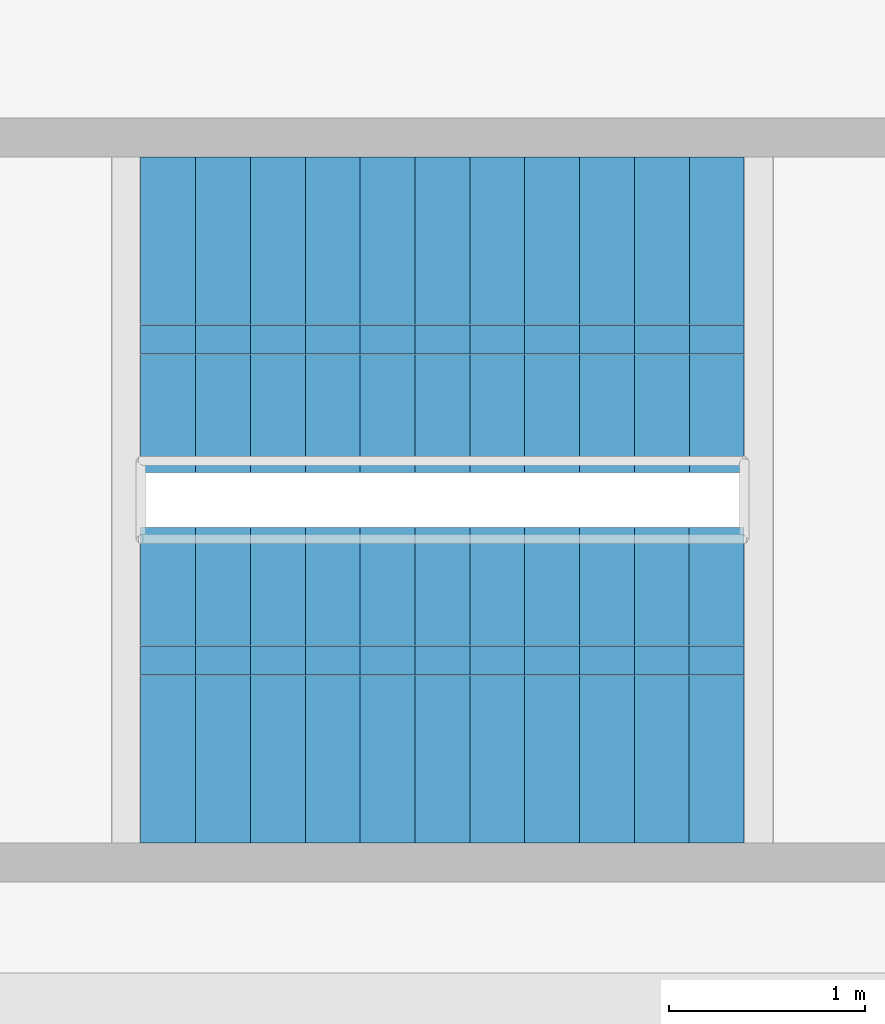
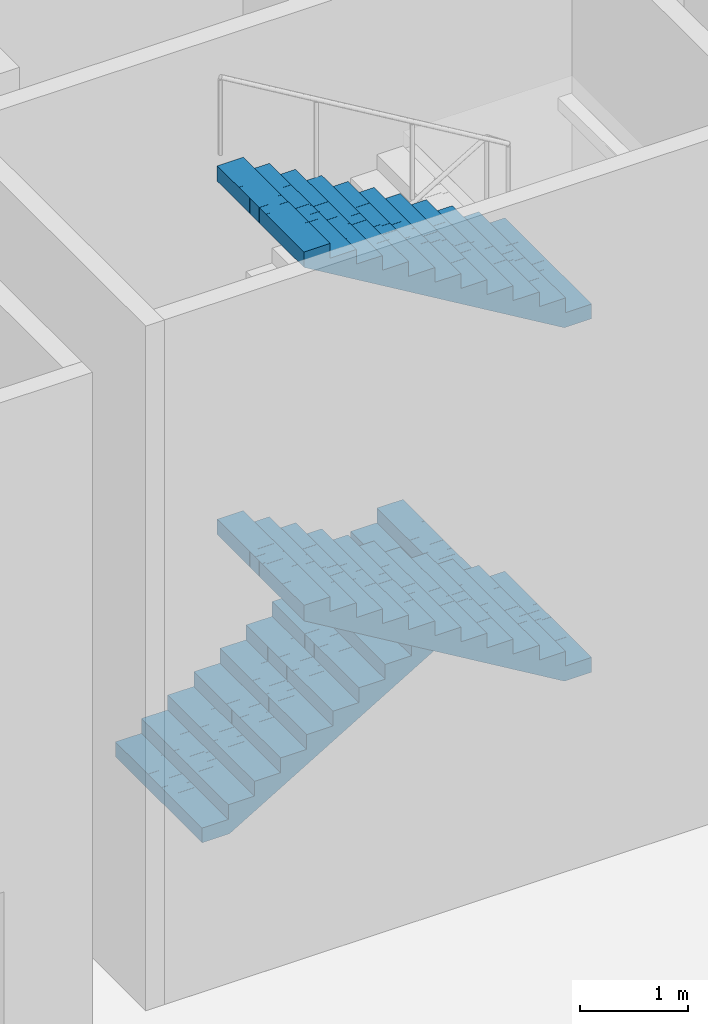
# One storey, part 21 of 25: 3 stair flights, 1 element without a shape of its own.
"""IFC4 building model written with IfcOpenShell, lengths in metres."""

from ifc_helpers import new_model, si_unit, direction, frame, origin, place, context, subcontext, project, spatial, polyline, outline, extrude, material, type_object, element, aggregate, save


model = new_model("IFC4")

# Units and contexts
model_context = context("Model", 3, precision=1e-05, world=origin(), true_north=direction((0.0, 1.0)))
body_context = subcontext(model_context, "Body", "Model", "MODEL_VIEW")
ifc_project = project(units=[si_unit("LENGTHUNIT", "METRE"), si_unit("AREAUNIT", "SQUARE_METRE"), si_unit("VOLUMEUNIT", "CUBIC_METRE"), si_unit("PLANEANGLEUNIT", "RADIAN"), si_unit("MASSUNIT", "GRAM", prefix="KILO")], contexts=[model_context])

# Site, building, storey
site_placement = place(None, origin())
site = spatial("IfcSite", under=ifc_project, at=site_placement, CompositionType="ELEMENT")
building_placement = place(site_placement, origin())
building = spatial("IfcBuilding", under=site, at=building_placement, Name="Mizan Broadcast Tower", CompositionType="ELEMENT")
storey_placement = place(building_placement, frame((0.0, 0.0, 15.0)))
storey = spatial("IfcBuildingStorey", under=building, at=storey_placement, Name="L02", CompositionType="ELEMENT", Elevation=15.0)

# Stair, stair flights
ifc_material_1 = material(Name="Concrete C40/50", Category="concrete")
stair_type = type_object("IfcStairType", Name="EXIT STAIR", PredefinedType="HALF_TURN_STAIR", material=ifc_material_1)
stair_placement = place(storey_placement, origin())
stair = element("IfcStair", 1, at=stair_placement, inside=storey, type_object=stair_type, Name="Stair D L02", PredefinedType="HALF_TURN_STAIR")
ifc_material_2 = material(Name="Concrete C40/50", Category="concrete")
stair_flight_type = type_object("IfcStairFlightType", Name="EXIT STAIR FLIGHT", PredefinedType="STRAIGHT", material=ifc_material_2)
stair_flight_1_placement = place(storey_placement, frame((-24.889892578125, -2.205078125, 0.0), z_axis=(0.0, 0.0, 1.0), x_axis=(1.0, 0.0, 0.0)))
stair_flight_1 = element("IfcStairFlight", 2, at=stair_flight_1_placement, type_object=stair_flight_type, Name="D flight 1", NumberOfRisers=12, NumberOfTreads=11, PredefinedType="STRAIGHT", RiserHeight=0.166666667, TreadLength=0.28, context=body_context, shape_type="SweptSolid", body=[
    extrude(outline(polyline([(0.0, 0.0), (0.0, 0.166748046875), (0.280029296875, 0.166748046875), (0.280029296875, 0.333251953125), (0.56005859375, 0.333251953125), (0.56005859375, 0.5), (0.840087890625, 0.5), (0.840087890625, 0.666748046875), (1.1201171875, 0.666748046875), (1.1201171875, 0.833251953125), (1.39990234375, 0.833251953125), (1.39990234375, 1.0), (1.679931640625, 1.0), (1.679931640625, 1.166748046875), (1.9599609375, 1.166748046875), (1.9599609375, 1.333251953125), (2.239990234375, 1.333251953125), (2.239990234375, 1.5), (2.52001953125, 1.5), (2.52001953125, 1.666748046875), (2.800048828125, 1.666748046875), (2.800048828125, 1.833251953125), (3.080078125, 1.833251953125), (3.080078125, 2.0), (3.080078125, 1.658935546875), (0.29296875, 0.0), (0.0, 0.0)])), frame((0.0, 0.80517578125, 0.0), z_axis=(0.0, -1.0, 0.0), x_axis=(1.0, 0.0, 0.0)), (0.0, 0.0, 1.0), 0.40234375),
    extrude(outline(polyline([(0.0, 0.0), (0.0, 0.166748046875), (0.280029296875, 0.166748046875), (0.280029296875, 0.333251953125), (0.56005859375, 0.333251953125), (0.56005859375, 0.5), (0.840087890625, 0.5), (0.840087890625, 0.666748046875), (1.1201171875, 0.666748046875), (1.1201171875, 0.833251953125), (1.39990234375, 0.833251953125), (1.39990234375, 1.0), (1.679931640625, 1.0), (1.679931640625, 1.166748046875), (1.9599609375, 1.166748046875), (1.9599609375, 1.333251953125), (2.239990234375, 1.333251953125), (2.239990234375, 1.5), (2.52001953125, 1.5), (2.52001953125, 1.666748046875), (2.800048828125, 1.666748046875), (2.800048828125, 1.833251953125), (3.080078125, 1.833251953125), (3.080078125, 2.0), (3.080078125, 1.658935546875), (0.29296875, 0.0), (0.0, 0.0)])), frame((0.0, 0.40234375, 0.0), z_axis=(0.0, -1.0, 0.0), x_axis=(1.0, 0.0, 0.0)), (0.0, 0.0, 1.0), 0.20068359375),
    extrude(outline(polyline([(0.0, 0.0), (0.0, 0.166748046875), (0.280029296875, 0.166748046875), (0.280029296875, 0.333251953125), (0.56005859375, 0.333251953125), (0.56005859375, 0.5), (0.840087890625, 0.5), (0.840087890625, 0.666748046875), (1.1201171875, 0.666748046875), (1.1201171875, 0.833251953125), (1.39990234375, 0.833251953125), (1.39990234375, 1.0), (1.679931640625, 1.0), (1.679931640625, 1.166748046875), (1.9599609375, 1.166748046875), (1.9599609375, 1.333251953125), (2.239990234375, 1.333251953125), (2.239990234375, 1.5), (2.52001953125, 1.5), (2.52001953125, 1.666748046875), (2.800048828125, 1.666748046875), (2.800048828125, 1.833251953125), (3.080078125, 1.833251953125), (3.080078125, 2.0), (3.080078125, 1.658935546875), (0.29296875, 0.0), (0.0, 0.0)])), frame((0.0, 0.201171875, 0.0), z_axis=(0.0, -1.0, 0.0), x_axis=(1.0, 0.0, 0.0)), (0.0, 0.0, 1.0), 0.10009765625),
    extrude(outline(polyline([(0.0, 0.0), (0.0, 0.166748046875), (0.280029296875, 0.166748046875), (0.280029296875, 0.333251953125), (0.56005859375, 0.333251953125), (0.56005859375, 0.5), (0.840087890625, 0.5), (0.840087890625, 0.666748046875), (1.1201171875, 0.666748046875), (1.1201171875, 0.833251953125), (1.39990234375, 0.833251953125), (1.39990234375, 1.0), (1.679931640625, 1.0), (1.679931640625, 1.166748046875), (1.9599609375, 1.166748046875), (1.9599609375, 1.333251953125), (2.239990234375, 1.333251953125), (2.239990234375, 1.5), (2.52001953125, 1.5), (2.52001953125, 1.666748046875), (2.800048828125, 1.666748046875), (2.800048828125, 1.833251953125), (3.080078125, 1.833251953125), (3.080078125, 2.0), (3.080078125, 1.658935546875), (0.29296875, 0.0), (0.0, 0.0)])), frame((0.0, 0.1005859375, 0.0), z_axis=(0.0, -1.0, 0.0), x_axis=(1.0, 0.0, 0.0)), (0.0, 0.0, 1.0), 0.0498046875),
    extrude(outline(polyline([(0.0, 0.0), (0.0, 0.166748046875), (0.280029296875, 0.166748046875), (0.280029296875, 0.333251953125), (0.56005859375, 0.333251953125), (0.56005859375, 0.5), (0.840087890625, 0.5), (0.840087890625, 0.666748046875), (1.1201171875, 0.666748046875), (1.1201171875, 0.833251953125), (1.39990234375, 0.833251953125), (1.39990234375, 1.0), (1.679931640625, 1.0), (1.679931640625, 1.166748046875), (1.9599609375, 1.166748046875), (1.9599609375, 1.333251953125), (2.239990234375, 1.333251953125), (2.239990234375, 1.5), (2.52001953125, 1.5), (2.52001953125, 1.666748046875), (2.800048828125, 1.666748046875), (2.800048828125, 1.833251953125), (3.080078125, 1.833251953125), (3.080078125, 2.0), (3.080078125, 1.658935546875), (0.29296875, 0.0), (0.0, 0.0)])), frame((0.0, 0.05029296875, 0.0), z_axis=(0.0, -1.0, 0.0), x_axis=(1.0, 0.0, 0.0)), (0.0, 0.0, 1.0), 0.024658203125),
    extrude(outline(polyline([(0.0, 0.0), (0.0, 0.166748046875), (0.280029296875, 0.166748046875), (0.280029296875, 0.333251953125), (0.56005859375, 0.333251953125), (0.56005859375, 0.5), (0.840087890625, 0.5), (0.840087890625, 0.666748046875), (1.1201171875, 0.666748046875), (1.1201171875, 0.833251953125), (1.39990234375, 0.833251953125), (1.39990234375, 1.0), (1.679931640625, 1.0), (1.679931640625, 1.166748046875), (1.9599609375, 1.166748046875), (1.9599609375, 1.333251953125), (2.239990234375, 1.333251953125), (2.239990234375, 1.5), (2.52001953125, 1.5), (2.52001953125, 1.666748046875), (2.800048828125, 1.666748046875), (2.800048828125, 1.833251953125), (3.080078125, 1.833251953125), (3.080078125, 2.0), (3.080078125, 1.658935546875), (0.29296875, 0.0), (0.0, 0.0)])), frame((0.0, 0.025146484375, 0.0), z_axis=(0.0, -1.0, 0.0), x_axis=(1.0, 0.0, 0.0)), (0.0, 0.0, 1.0), 0.050048828125),
    extrude(outline(polyline([(0.0, 0.0), (0.0, 0.166748046875), (0.280029296875, 0.166748046875), (0.280029296875, 0.333251953125), (0.56005859375, 0.333251953125), (0.56005859375, 0.5), (0.840087890625, 0.5), (0.840087890625, 0.666748046875), (1.1201171875, 0.666748046875), (1.1201171875, 0.833251953125), (1.39990234375, 0.833251953125), (1.39990234375, 1.0), (1.679931640625, 1.0), (1.679931640625, 1.166748046875), (1.9599609375, 1.166748046875), (1.9599609375, 1.333251953125), (2.239990234375, 1.333251953125), (2.239990234375, 1.5), (2.52001953125, 1.5), (2.52001953125, 1.666748046875), (2.800048828125, 1.666748046875), (2.800048828125, 1.833251953125), (3.080078125, 1.833251953125), (3.080078125, 2.0), (3.080078125, 1.658935546875), (0.29296875, 0.0), (0.0, 0.0)])), frame((0.0, -0.025390625, 0.0), z_axis=(0.0, -1.0, 0.0), x_axis=(1.0, 0.0, 0.0)), (0.0, 0.0, 1.0), 0.024658203125),
    extrude(outline(polyline([(0.0, 0.0), (0.0, 0.166748046875), (0.280029296875, 0.166748046875), (0.280029296875, 0.333251953125), (0.56005859375, 0.333251953125), (0.56005859375, 0.5), (0.840087890625, 0.5), (0.840087890625, 0.666748046875), (1.1201171875, 0.666748046875), (1.1201171875, 0.833251953125), (1.39990234375, 0.833251953125), (1.39990234375, 1.0), (1.679931640625, 1.0), (1.679931640625, 1.166748046875), (1.9599609375, 1.166748046875), (1.9599609375, 1.333251953125), (2.239990234375, 1.333251953125), (2.239990234375, 1.5), (2.52001953125, 1.5), (2.52001953125, 1.666748046875), (2.800048828125, 1.666748046875), (2.800048828125, 1.833251953125), (3.080078125, 1.833251953125), (3.080078125, 2.0), (3.080078125, 1.658935546875), (0.29296875, 0.0), (0.0, 0.0)])), frame((0.0, -0.050537109375, 0.0), z_axis=(0.0, -1.0, 0.0), x_axis=(1.0, 0.0, 0.0)), (0.0, 0.0, 1.0), 0.0498046875),
    extrude(outline(polyline([(0.0, 0.0), (0.0, 0.166748046875), (0.280029296875, 0.166748046875), (0.280029296875, 0.333251953125), (0.56005859375, 0.333251953125), (0.56005859375, 0.5), (0.840087890625, 0.5), (0.840087890625, 0.666748046875), (1.1201171875, 0.666748046875), (1.1201171875, 0.833251953125), (1.39990234375, 0.833251953125), (1.39990234375, 1.0), (1.679931640625, 1.0), (1.679931640625, 1.166748046875), (1.9599609375, 1.166748046875), (1.9599609375, 1.333251953125), (2.239990234375, 1.333251953125), (2.239990234375, 1.5), (2.52001953125, 1.5), (2.52001953125, 1.666748046875), (2.800048828125, 1.666748046875), (2.800048828125, 1.833251953125), (3.080078125, 1.833251953125), (3.080078125, 2.0), (3.080078125, 1.658935546875), (0.29296875, 0.0), (0.0, 0.0)])), frame((0.0, -0.100830078125, 0.0), z_axis=(0.0, -1.0, 0.0), x_axis=(1.0, 0.0, 0.0)), (0.0, 0.0, 1.0), 0.10009765625),
    extrude(outline(polyline([(0.0, 0.0), (0.0, 0.166748046875), (0.280029296875, 0.166748046875), (0.280029296875, 0.333251953125), (0.56005859375, 0.333251953125), (0.56005859375, 0.5), (0.840087890625, 0.5), (0.840087890625, 0.666748046875), (1.1201171875, 0.666748046875), (1.1201171875, 0.833251953125), (1.39990234375, 0.833251953125), (1.39990234375, 1.0), (1.679931640625, 1.0), (1.679931640625, 1.166748046875), (1.9599609375, 1.166748046875), (1.9599609375, 1.333251953125), (2.239990234375, 1.333251953125), (2.239990234375, 1.5), (2.52001953125, 1.5), (2.52001953125, 1.666748046875), (2.800048828125, 1.666748046875), (2.800048828125, 1.833251953125), (3.080078125, 1.833251953125), (3.080078125, 2.0), (3.080078125, 1.658935546875), (0.29296875, 0.0), (0.0, 0.0)])), frame((0.0, -0.201416015625, 0.0), z_axis=(0.0, -1.0, 0.0), x_axis=(1.0, 0.0, 0.0)), (0.0, 0.0, 1.0), 0.20068359375),
    extrude(outline(polyline([(0.0, 0.0), (0.0, 0.166748046875), (0.280029296875, 0.166748046875), (0.280029296875, 0.333251953125), (0.56005859375, 0.333251953125), (0.56005859375, 0.5), (0.840087890625, 0.5), (0.840087890625, 0.666748046875), (1.1201171875, 0.666748046875), (1.1201171875, 0.833251953125), (1.39990234375, 0.833251953125), (1.39990234375, 1.0), (1.679931640625, 1.0), (1.679931640625, 1.166748046875), (1.9599609375, 1.166748046875), (1.9599609375, 1.333251953125), (2.239990234375, 1.333251953125), (2.239990234375, 1.5), (2.52001953125, 1.5), (2.52001953125, 1.666748046875), (2.800048828125, 1.666748046875), (2.800048828125, 1.833251953125), (3.080078125, 1.833251953125), (3.080078125, 2.0), (3.080078125, 1.658935546875), (0.29296875, 0.0), (0.0, 0.0)])), frame((0.0, -0.402587890625, 0.0), z_axis=(0.0, -1.0, 0.0), x_axis=(1.0, 0.0, 0.0)), (0.0, 0.0, 1.0), 0.40234375),
])
stair_flight_2_placement = place(storey_placement, frame((-21.81005859375, -4.094970703125, 2.0), z_axis=(0.0, 0.0, 1.0), x_axis=(-1.0, 0.0, 0.0)))
stair_flight_2 = element("IfcStairFlight", 3, at=stair_flight_2_placement, type_object=stair_flight_type, Name="D flight 2", NumberOfRisers=12, NumberOfTreads=11, PredefinedType="STRAIGHT", RiserHeight=0.166666667, TreadLength=0.28, context=body_context, shape_type="SweptSolid", body=[
    extrude(outline(polyline([(0.0, 0.0), (0.0, 0.166748046875), (0.280029296875, 0.166748046875), (0.280029296875, 0.333251953125), (0.56005859375, 0.333251953125), (0.56005859375, 0.5), (0.840087890625, 0.5), (0.840087890625, 0.666748046875), (1.1201171875, 0.666748046875), (1.1201171875, 0.833251953125), (1.39990234375, 0.833251953125), (1.39990234375, 1.0), (1.679931640625, 1.0), (1.679931640625, 1.166748046875), (1.9599609375, 1.166748046875), (1.9599609375, 1.333251953125), (2.239990234375, 1.333251953125), (2.239990234375, 1.5), (2.52001953125, 1.5), (2.52001953125, 1.666748046875), (2.800048828125, 1.666748046875), (2.800048828125, 1.833251953125), (3.080078125, 1.833251953125), (3.080078125, 2.0), (3.080078125, 1.658935546875), (0.29296875, 0.0), (0.0, 0.0)])), frame((0.0, 0.80517578125, 0.0), z_axis=(0.0, -1.0, 0.0), x_axis=(1.0, 0.0, 0.0)), (0.0, 0.0, 1.0), 0.40234375),
    extrude(outline(polyline([(0.0, 0.0), (0.0, 0.166748046875), (0.280029296875, 0.166748046875), (0.280029296875, 0.333251953125), (0.56005859375, 0.333251953125), (0.56005859375, 0.5), (0.840087890625, 0.5), (0.840087890625, 0.666748046875), (1.1201171875, 0.666748046875), (1.1201171875, 0.833251953125), (1.39990234375, 0.833251953125), (1.39990234375, 1.0), (1.679931640625, 1.0), (1.679931640625, 1.166748046875), (1.9599609375, 1.166748046875), (1.9599609375, 1.333251953125), (2.239990234375, 1.333251953125), (2.239990234375, 1.5), (2.52001953125, 1.5), (2.52001953125, 1.666748046875), (2.800048828125, 1.666748046875), (2.800048828125, 1.833251953125), (3.080078125, 1.833251953125), (3.080078125, 2.0), (3.080078125, 1.658935546875), (0.29296875, 0.0), (0.0, 0.0)])), frame((0.0, 0.40234375, 0.0), z_axis=(0.0, -1.0, 0.0), x_axis=(1.0, 0.0, 0.0)), (0.0, 0.0, 1.0), 0.20068359375),
    extrude(outline(polyline([(0.0, 0.0), (0.0, 0.166748046875), (0.280029296875, 0.166748046875), (0.280029296875, 0.333251953125), (0.56005859375, 0.333251953125), (0.56005859375, 0.5), (0.840087890625, 0.5), (0.840087890625, 0.666748046875), (1.1201171875, 0.666748046875), (1.1201171875, 0.833251953125), (1.39990234375, 0.833251953125), (1.39990234375, 1.0), (1.679931640625, 1.0), (1.679931640625, 1.166748046875), (1.9599609375, 1.166748046875), (1.9599609375, 1.333251953125), (2.239990234375, 1.333251953125), (2.239990234375, 1.5), (2.52001953125, 1.5), (2.52001953125, 1.666748046875), (2.800048828125, 1.666748046875), (2.800048828125, 1.833251953125), (3.080078125, 1.833251953125), (3.080078125, 2.0), (3.080078125, 1.658935546875), (0.29296875, 0.0), (0.0, 0.0)])), frame((0.0, 0.201171875, 0.0), z_axis=(0.0, -1.0, 0.0), x_axis=(1.0, 0.0, 0.0)), (0.0, 0.0, 1.0), 0.10009765625),
    extrude(outline(polyline([(0.0, 0.0), (0.0, 0.166748046875), (0.280029296875, 0.166748046875), (0.280029296875, 0.333251953125), (0.56005859375, 0.333251953125), (0.56005859375, 0.5), (0.840087890625, 0.5), (0.840087890625, 0.666748046875), (1.1201171875, 0.666748046875), (1.1201171875, 0.833251953125), (1.39990234375, 0.833251953125), (1.39990234375, 1.0), (1.679931640625, 1.0), (1.679931640625, 1.166748046875), (1.9599609375, 1.166748046875), (1.9599609375, 1.333251953125), (2.239990234375, 1.333251953125), (2.239990234375, 1.5), (2.52001953125, 1.5), (2.52001953125, 1.666748046875), (2.800048828125, 1.666748046875), (2.800048828125, 1.833251953125), (3.080078125, 1.833251953125), (3.080078125, 2.0), (3.080078125, 1.658935546875), (0.29296875, 0.0), (0.0, 0.0)])), frame((0.0, 0.1005859375, 0.0), z_axis=(0.0, -1.0, 0.0), x_axis=(1.0, 0.0, 0.0)), (0.0, 0.0, 1.0), 0.0498046875),
    extrude(outline(polyline([(0.0, 0.0), (0.0, 0.166748046875), (0.280029296875, 0.166748046875), (0.280029296875, 0.333251953125), (0.56005859375, 0.333251953125), (0.56005859375, 0.5), (0.840087890625, 0.5), (0.840087890625, 0.666748046875), (1.1201171875, 0.666748046875), (1.1201171875, 0.833251953125), (1.39990234375, 0.833251953125), (1.39990234375, 1.0), (1.679931640625, 1.0), (1.679931640625, 1.166748046875), (1.9599609375, 1.166748046875), (1.9599609375, 1.333251953125), (2.239990234375, 1.333251953125), (2.239990234375, 1.5), (2.52001953125, 1.5), (2.52001953125, 1.666748046875), (2.800048828125, 1.666748046875), (2.800048828125, 1.833251953125), (3.080078125, 1.833251953125), (3.080078125, 2.0), (3.080078125, 1.658935546875), (0.29296875, 0.0), (0.0, 0.0)])), frame((0.0, 0.05029296875, 0.0), z_axis=(0.0, -1.0, 0.0), x_axis=(1.0, 0.0, 0.0)), (0.0, 0.0, 1.0), 0.024658203125),
    extrude(outline(polyline([(0.0, 0.0), (0.0, 0.166748046875), (0.280029296875, 0.166748046875), (0.280029296875, 0.333251953125), (0.56005859375, 0.333251953125), (0.56005859375, 0.5), (0.840087890625, 0.5), (0.840087890625, 0.666748046875), (1.1201171875, 0.666748046875), (1.1201171875, 0.833251953125), (1.39990234375, 0.833251953125), (1.39990234375, 1.0), (1.679931640625, 1.0), (1.679931640625, 1.166748046875), (1.9599609375, 1.166748046875), (1.9599609375, 1.333251953125), (2.239990234375, 1.333251953125), (2.239990234375, 1.5), (2.52001953125, 1.5), (2.52001953125, 1.666748046875), (2.800048828125, 1.666748046875), (2.800048828125, 1.833251953125), (3.080078125, 1.833251953125), (3.080078125, 2.0), (3.080078125, 1.658935546875), (0.29296875, 0.0), (0.0, 0.0)])), frame((0.0, 0.025146484375, 0.0), z_axis=(0.0, -1.0, 0.0), x_axis=(1.0, 0.0, 0.0)), (0.0, 0.0, 1.0), 0.050048828125),
    extrude(outline(polyline([(0.0, 0.0), (0.0, 0.166748046875), (0.280029296875, 0.166748046875), (0.280029296875, 0.333251953125), (0.56005859375, 0.333251953125), (0.56005859375, 0.5), (0.840087890625, 0.5), (0.840087890625, 0.666748046875), (1.1201171875, 0.666748046875), (1.1201171875, 0.833251953125), (1.39990234375, 0.833251953125), (1.39990234375, 1.0), (1.679931640625, 1.0), (1.679931640625, 1.166748046875), (1.9599609375, 1.166748046875), (1.9599609375, 1.333251953125), (2.239990234375, 1.333251953125), (2.239990234375, 1.5), (2.52001953125, 1.5), (2.52001953125, 1.666748046875), (2.800048828125, 1.666748046875), (2.800048828125, 1.833251953125), (3.080078125, 1.833251953125), (3.080078125, 2.0), (3.080078125, 1.658935546875), (0.29296875, 0.0), (0.0, 0.0)])), frame((0.0, -0.025390625, 0.0), z_axis=(0.0, -1.0, 0.0), x_axis=(1.0, 0.0, 0.0)), (0.0, 0.0, 1.0), 0.024658203125),
    extrude(outline(polyline([(0.0, 0.0), (0.0, 0.166748046875), (0.280029296875, 0.166748046875), (0.280029296875, 0.333251953125), (0.56005859375, 0.333251953125), (0.56005859375, 0.5), (0.840087890625, 0.5), (0.840087890625, 0.666748046875), (1.1201171875, 0.666748046875), (1.1201171875, 0.833251953125), (1.39990234375, 0.833251953125), (1.39990234375, 1.0), (1.679931640625, 1.0), (1.679931640625, 1.166748046875), (1.9599609375, 1.166748046875), (1.9599609375, 1.333251953125), (2.239990234375, 1.333251953125), (2.239990234375, 1.5), (2.52001953125, 1.5), (2.52001953125, 1.666748046875), (2.800048828125, 1.666748046875), (2.800048828125, 1.833251953125), (3.080078125, 1.833251953125), (3.080078125, 2.0), (3.080078125, 1.658935546875), (0.29296875, 0.0), (0.0, 0.0)])), frame((0.0, -0.050537109375, 0.0), z_axis=(0.0, -1.0, 0.0), x_axis=(1.0, 0.0, 0.0)), (0.0, 0.0, 1.0), 0.0498046875),
    extrude(outline(polyline([(0.0, 0.0), (0.0, 0.166748046875), (0.280029296875, 0.166748046875), (0.280029296875, 0.333251953125), (0.56005859375, 0.333251953125), (0.56005859375, 0.5), (0.840087890625, 0.5), (0.840087890625, 0.666748046875), (1.1201171875, 0.666748046875), (1.1201171875, 0.833251953125), (1.39990234375, 0.833251953125), (1.39990234375, 1.0), (1.679931640625, 1.0), (1.679931640625, 1.166748046875), (1.9599609375, 1.166748046875), (1.9599609375, 1.333251953125), (2.239990234375, 1.333251953125), (2.239990234375, 1.5), (2.52001953125, 1.5), (2.52001953125, 1.666748046875), (2.800048828125, 1.666748046875), (2.800048828125, 1.833251953125), (3.080078125, 1.833251953125), (3.080078125, 2.0), (3.080078125, 1.658935546875), (0.29296875, 0.0), (0.0, 0.0)])), frame((0.0, -0.100830078125, 0.0), z_axis=(0.0, -1.0, 0.0), x_axis=(1.0, 0.0, 0.0)), (0.0, 0.0, 1.0), 0.10009765625),
    extrude(outline(polyline([(0.0, 0.0), (0.0, 0.166748046875), (0.280029296875, 0.166748046875), (0.280029296875, 0.333251953125), (0.56005859375, 0.333251953125), (0.56005859375, 0.5), (0.840087890625, 0.5), (0.840087890625, 0.666748046875), (1.1201171875, 0.666748046875), (1.1201171875, 0.833251953125), (1.39990234375, 0.833251953125), (1.39990234375, 1.0), (1.679931640625, 1.0), (1.679931640625, 1.166748046875), (1.9599609375, 1.166748046875), (1.9599609375, 1.333251953125), (2.239990234375, 1.333251953125), (2.239990234375, 1.5), (2.52001953125, 1.5), (2.52001953125, 1.666748046875), (2.800048828125, 1.666748046875), (2.800048828125, 1.833251953125), (3.080078125, 1.833251953125), (3.080078125, 2.0), (3.080078125, 1.658935546875), (0.29296875, 0.0), (0.0, 0.0)])), frame((0.0, -0.201416015625, 0.0), z_axis=(0.0, -1.0, 0.0), x_axis=(1.0, 0.0, 0.0)), (0.0, 0.0, 1.0), 0.20068359375),
    extrude(outline(polyline([(0.0, 0.0), (0.0, 0.166748046875), (0.280029296875, 0.166748046875), (0.280029296875, 0.333251953125), (0.56005859375, 0.333251953125), (0.56005859375, 0.5), (0.840087890625, 0.5), (0.840087890625, 0.666748046875), (1.1201171875, 0.666748046875), (1.1201171875, 0.833251953125), (1.39990234375, 0.833251953125), (1.39990234375, 1.0), (1.679931640625, 1.0), (1.679931640625, 1.166748046875), (1.9599609375, 1.166748046875), (1.9599609375, 1.333251953125), (2.239990234375, 1.333251953125), (2.239990234375, 1.5), (2.52001953125, 1.5), (2.52001953125, 1.666748046875), (2.800048828125, 1.666748046875), (2.800048828125, 1.833251953125), (3.080078125, 1.833251953125), (3.080078125, 2.0), (3.080078125, 1.658935546875), (0.29296875, 0.0), (0.0, 0.0)])), frame((0.0, -0.402587890625, 0.0), z_axis=(0.0, -1.0, 0.0), x_axis=(1.0, 0.0, 0.0)), (0.0, 0.0, 1.0), 0.40234375),
])
stair_flight_3_placement = place(storey_placement, frame((-21.81005859375, -4.094970703125, 6.0), z_axis=(0.0, 0.0, 1.0), x_axis=(-1.0, 0.0, 0.0)))
stair_flight_3 = element("IfcStairFlight", 4, at=stair_flight_3_placement, type_object=stair_flight_type, Name="D flight 4", NumberOfRisers=12, NumberOfTreads=11, PredefinedType="STRAIGHT", RiserHeight=0.166666667, TreadLength=0.28, context=body_context, shape_type="SweptSolid", body=[
    extrude(outline(polyline([(0.0, 0.0), (0.0, 0.166748046875), (0.280029296875, 0.166748046875), (0.280029296875, 0.333251953125), (0.56005859375, 0.333251953125), (0.56005859375, 0.5), (0.840087890625, 0.5), (0.840087890625, 0.666748046875), (1.1201171875, 0.666748046875), (1.1201171875, 0.833251953125), (1.39990234375, 0.833251953125), (1.39990234375, 1.0), (1.679931640625, 1.0), (1.679931640625, 1.166748046875), (1.9599609375, 1.166748046875), (1.9599609375, 1.333251953125), (2.239990234375, 1.333251953125), (2.239990234375, 1.5), (2.52001953125, 1.5), (2.52001953125, 1.666748046875), (2.800048828125, 1.666748046875), (2.800048828125, 1.833251953125), (3.080078125, 1.833251953125), (3.080078125, 2.0), (3.080078125, 1.658935546875), (0.29296875, 0.0), (0.0, 0.0)])), frame((0.0, 0.80517578125, 0.0), z_axis=(0.0, -1.0, 0.0), x_axis=(1.0, 0.0, 0.0)), (0.0, 0.0, 1.0), 0.40234375),
    extrude(outline(polyline([(0.0, 0.0), (0.0, 0.166748046875), (0.280029296875, 0.166748046875), (0.280029296875, 0.333251953125), (0.56005859375, 0.333251953125), (0.56005859375, 0.5), (0.840087890625, 0.5), (0.840087890625, 0.666748046875), (1.1201171875, 0.666748046875), (1.1201171875, 0.833251953125), (1.39990234375, 0.833251953125), (1.39990234375, 1.0), (1.679931640625, 1.0), (1.679931640625, 1.166748046875), (1.9599609375, 1.166748046875), (1.9599609375, 1.333251953125), (2.239990234375, 1.333251953125), (2.239990234375, 1.5), (2.52001953125, 1.5), (2.52001953125, 1.666748046875), (2.800048828125, 1.666748046875), (2.800048828125, 1.833251953125), (3.080078125, 1.833251953125), (3.080078125, 2.0), (3.080078125, 1.658935546875), (0.29296875, 0.0), (0.0, 0.0)])), frame((0.0, 0.40234375, 0.0), z_axis=(0.0, -1.0, 0.0), x_axis=(1.0, 0.0, 0.0)), (0.0, 0.0, 1.0), 0.20068359375),
    extrude(outline(polyline([(0.0, 0.0), (0.0, 0.166748046875), (0.280029296875, 0.166748046875), (0.280029296875, 0.333251953125), (0.56005859375, 0.333251953125), (0.56005859375, 0.5), (0.840087890625, 0.5), (0.840087890625, 0.666748046875), (1.1201171875, 0.666748046875), (1.1201171875, 0.833251953125), (1.39990234375, 0.833251953125), (1.39990234375, 1.0), (1.679931640625, 1.0), (1.679931640625, 1.166748046875), (1.9599609375, 1.166748046875), (1.9599609375, 1.333251953125), (2.239990234375, 1.333251953125), (2.239990234375, 1.5), (2.52001953125, 1.5), (2.52001953125, 1.666748046875), (2.800048828125, 1.666748046875), (2.800048828125, 1.833251953125), (3.080078125, 1.833251953125), (3.080078125, 2.0), (3.080078125, 1.658935546875), (0.29296875, 0.0), (0.0, 0.0)])), frame((0.0, 0.201171875, 0.0), z_axis=(0.0, -1.0, 0.0), x_axis=(1.0, 0.0, 0.0)), (0.0, 0.0, 1.0), 0.10009765625),
    extrude(outline(polyline([(0.0, 0.0), (0.0, 0.166748046875), (0.280029296875, 0.166748046875), (0.280029296875, 0.333251953125), (0.56005859375, 0.333251953125), (0.56005859375, 0.5), (0.840087890625, 0.5), (0.840087890625, 0.666748046875), (1.1201171875, 0.666748046875), (1.1201171875, 0.833251953125), (1.39990234375, 0.833251953125), (1.39990234375, 1.0), (1.679931640625, 1.0), (1.679931640625, 1.166748046875), (1.9599609375, 1.166748046875), (1.9599609375, 1.333251953125), (2.239990234375, 1.333251953125), (2.239990234375, 1.5), (2.52001953125, 1.5), (2.52001953125, 1.666748046875), (2.800048828125, 1.666748046875), (2.800048828125, 1.833251953125), (3.080078125, 1.833251953125), (3.080078125, 2.0), (3.080078125, 1.658935546875), (0.29296875, 0.0), (0.0, 0.0)])), frame((0.0, 0.1005859375, 0.0), z_axis=(0.0, -1.0, 0.0), x_axis=(1.0, 0.0, 0.0)), (0.0, 0.0, 1.0), 0.0498046875),
    extrude(outline(polyline([(0.0, 0.0), (0.0, 0.166748046875), (0.280029296875, 0.166748046875), (0.280029296875, 0.333251953125), (0.56005859375, 0.333251953125), (0.56005859375, 0.5), (0.840087890625, 0.5), (0.840087890625, 0.666748046875), (1.1201171875, 0.666748046875), (1.1201171875, 0.833251953125), (1.39990234375, 0.833251953125), (1.39990234375, 1.0), (1.679931640625, 1.0), (1.679931640625, 1.166748046875), (1.9599609375, 1.166748046875), (1.9599609375, 1.333251953125), (2.239990234375, 1.333251953125), (2.239990234375, 1.5), (2.52001953125, 1.5), (2.52001953125, 1.666748046875), (2.800048828125, 1.666748046875), (2.800048828125, 1.833251953125), (3.080078125, 1.833251953125), (3.080078125, 2.0), (3.080078125, 1.658935546875), (0.29296875, 0.0), (0.0, 0.0)])), frame((0.0, 0.05029296875, 0.0), z_axis=(0.0, -1.0, 0.0), x_axis=(1.0, 0.0, 0.0)), (0.0, 0.0, 1.0), 0.024658203125),
    extrude(outline(polyline([(0.0, 0.0), (0.0, 0.166748046875), (0.280029296875, 0.166748046875), (0.280029296875, 0.333251953125), (0.56005859375, 0.333251953125), (0.56005859375, 0.5), (0.840087890625, 0.5), (0.840087890625, 0.666748046875), (1.1201171875, 0.666748046875), (1.1201171875, 0.833251953125), (1.39990234375, 0.833251953125), (1.39990234375, 1.0), (1.679931640625, 1.0), (1.679931640625, 1.166748046875), (1.9599609375, 1.166748046875), (1.9599609375, 1.333251953125), (2.239990234375, 1.333251953125), (2.239990234375, 1.5), (2.52001953125, 1.5), (2.52001953125, 1.666748046875), (2.800048828125, 1.666748046875), (2.800048828125, 1.833251953125), (3.080078125, 1.833251953125), (3.080078125, 2.0), (3.080078125, 1.658935546875), (0.29296875, 0.0), (0.0, 0.0)])), frame((0.0, 0.025146484375, 0.0), z_axis=(0.0, -1.0, 0.0), x_axis=(1.0, 0.0, 0.0)), (0.0, 0.0, 1.0), 0.050048828125),
    extrude(outline(polyline([(0.0, 0.0), (0.0, 0.166748046875), (0.280029296875, 0.166748046875), (0.280029296875, 0.333251953125), (0.56005859375, 0.333251953125), (0.56005859375, 0.5), (0.840087890625, 0.5), (0.840087890625, 0.666748046875), (1.1201171875, 0.666748046875), (1.1201171875, 0.833251953125), (1.39990234375, 0.833251953125), (1.39990234375, 1.0), (1.679931640625, 1.0), (1.679931640625, 1.166748046875), (1.9599609375, 1.166748046875), (1.9599609375, 1.333251953125), (2.239990234375, 1.333251953125), (2.239990234375, 1.5), (2.52001953125, 1.5), (2.52001953125, 1.666748046875), (2.800048828125, 1.666748046875), (2.800048828125, 1.833251953125), (3.080078125, 1.833251953125), (3.080078125, 2.0), (3.080078125, 1.658935546875), (0.29296875, 0.0), (0.0, 0.0)])), frame((0.0, -0.025390625, 0.0), z_axis=(0.0, -1.0, 0.0), x_axis=(1.0, 0.0, 0.0)), (0.0, 0.0, 1.0), 0.024658203125),
    extrude(outline(polyline([(0.0, 0.0), (0.0, 0.166748046875), (0.280029296875, 0.166748046875), (0.280029296875, 0.333251953125), (0.56005859375, 0.333251953125), (0.56005859375, 0.5), (0.840087890625, 0.5), (0.840087890625, 0.666748046875), (1.1201171875, 0.666748046875), (1.1201171875, 0.833251953125), (1.39990234375, 0.833251953125), (1.39990234375, 1.0), (1.679931640625, 1.0), (1.679931640625, 1.166748046875), (1.9599609375, 1.166748046875), (1.9599609375, 1.333251953125), (2.239990234375, 1.333251953125), (2.239990234375, 1.5), (2.52001953125, 1.5), (2.52001953125, 1.666748046875), (2.800048828125, 1.666748046875), (2.800048828125, 1.833251953125), (3.080078125, 1.833251953125), (3.080078125, 2.0), (3.080078125, 1.658935546875), (0.29296875, 0.0), (0.0, 0.0)])), frame((0.0, -0.050537109375, 0.0), z_axis=(0.0, -1.0, 0.0), x_axis=(1.0, 0.0, 0.0)), (0.0, 0.0, 1.0), 0.0498046875),
    extrude(outline(polyline([(0.0, 0.0), (0.0, 0.166748046875), (0.280029296875, 0.166748046875), (0.280029296875, 0.333251953125), (0.56005859375, 0.333251953125), (0.56005859375, 0.5), (0.840087890625, 0.5), (0.840087890625, 0.666748046875), (1.1201171875, 0.666748046875), (1.1201171875, 0.833251953125), (1.39990234375, 0.833251953125), (1.39990234375, 1.0), (1.679931640625, 1.0), (1.679931640625, 1.166748046875), (1.9599609375, 1.166748046875), (1.9599609375, 1.333251953125), (2.239990234375, 1.333251953125), (2.239990234375, 1.5), (2.52001953125, 1.5), (2.52001953125, 1.666748046875), (2.800048828125, 1.666748046875), (2.800048828125, 1.833251953125), (3.080078125, 1.833251953125), (3.080078125, 2.0), (3.080078125, 1.658935546875), (0.29296875, 0.0), (0.0, 0.0)])), frame((0.0, -0.100830078125, 0.0), z_axis=(0.0, -1.0, 0.0), x_axis=(1.0, 0.0, 0.0)), (0.0, 0.0, 1.0), 0.10009765625),
    extrude(outline(polyline([(0.0, 0.0), (0.0, 0.166748046875), (0.280029296875, 0.166748046875), (0.280029296875, 0.333251953125), (0.56005859375, 0.333251953125), (0.56005859375, 0.5), (0.840087890625, 0.5), (0.840087890625, 0.666748046875), (1.1201171875, 0.666748046875), (1.1201171875, 0.833251953125), (1.39990234375, 0.833251953125), (1.39990234375, 1.0), (1.679931640625, 1.0), (1.679931640625, 1.166748046875), (1.9599609375, 1.166748046875), (1.9599609375, 1.333251953125), (2.239990234375, 1.333251953125), (2.239990234375, 1.5), (2.52001953125, 1.5), (2.52001953125, 1.666748046875), (2.800048828125, 1.666748046875), (2.800048828125, 1.833251953125), (3.080078125, 1.833251953125), (3.080078125, 2.0), (3.080078125, 1.658935546875), (0.29296875, 0.0), (0.0, 0.0)])), frame((0.0, -0.201416015625, 0.0), z_axis=(0.0, -1.0, 0.0), x_axis=(1.0, 0.0, 0.0)), (0.0, 0.0, 1.0), 0.20068359375),
    extrude(outline(polyline([(0.0, 0.0), (0.0, 0.166748046875), (0.280029296875, 0.166748046875), (0.280029296875, 0.333251953125), (0.56005859375, 0.333251953125), (0.56005859375, 0.5), (0.840087890625, 0.5), (0.840087890625, 0.666748046875), (1.1201171875, 0.666748046875), (1.1201171875, 0.833251953125), (1.39990234375, 0.833251953125), (1.39990234375, 1.0), (1.679931640625, 1.0), (1.679931640625, 1.166748046875), (1.9599609375, 1.166748046875), (1.9599609375, 1.333251953125), (2.239990234375, 1.333251953125), (2.239990234375, 1.5), (2.52001953125, 1.5), (2.52001953125, 1.666748046875), (2.800048828125, 1.666748046875), (2.800048828125, 1.833251953125), (3.080078125, 1.833251953125), (3.080078125, 2.0), (3.080078125, 1.658935546875), (0.29296875, 0.0), (0.0, 0.0)])), frame((0.0, -0.402587890625, 0.0), z_axis=(0.0, -1.0, 0.0), x_axis=(1.0, 0.0, 0.0)), (0.0, 0.0, 1.0), 0.40234375),
])
aggregate(stair, [stair_flight_1, stair_flight_2, stair_flight_3])

save(model, "model.ifc")
